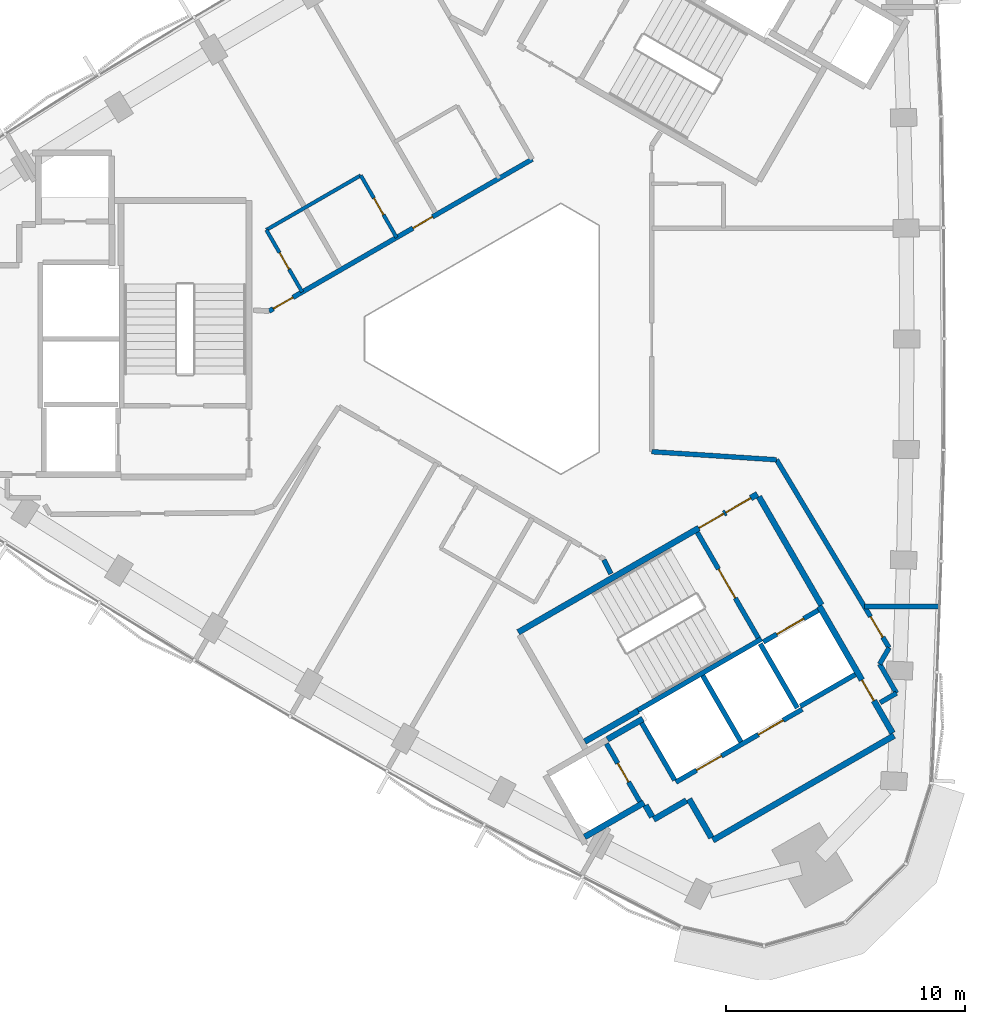
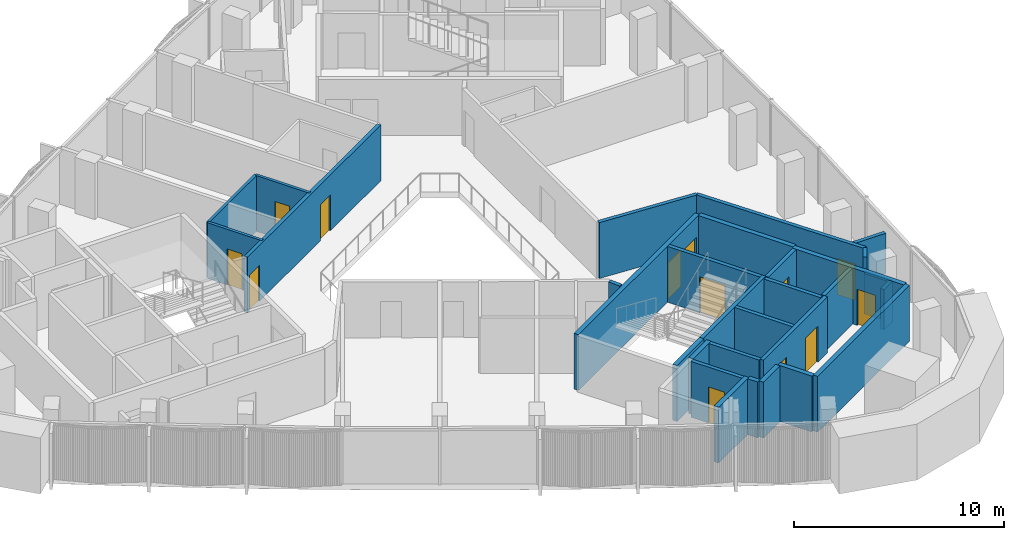
# One storey, part 9 of 14: 30 walls, 13 doors, 13 openings.
"""IFC4 building model written with IfcOpenShell, lengths in metres."""

from ifc_helpers import new_model, si_unit, direction, frame, frame_2d, origin, place, context, subcontext, project, spatial, rectangle, extrude, material, layer, layer_set, type_object, element, fill, save


model = new_model("IFC4")

# Units and contexts
model_context = context("Model", 3, precision=1e-05, world=origin(), true_north=direction((0.0, 1.0)))
body_context = subcontext(model_context, "Body", "Model", "MODEL_VIEW")
ifc_project = project(units=[si_unit("LENGTHUNIT", "METRE"), si_unit("AREAUNIT", "SQUARE_METRE"), si_unit("VOLUMEUNIT", "CUBIC_METRE"), si_unit("PLANEANGLEUNIT", "RADIAN"), si_unit("MASSUNIT", "GRAM", prefix="KILO")], contexts=[model_context])

# Site, building, storey
site_placement = place(None, origin())
site = spatial("IfcSite", under=ifc_project, at=site_placement, CompositionType="ELEMENT")
building_placement = place(site_placement, origin())
building = spatial("IfcBuilding", under=site, at=building_placement, Name="Tamra Quay Hotel Tower", CompositionType="ELEMENT")
storey_placement = place(building_placement, frame((0.0, 0.0, 228.60009765625)))
storey = spatial("IfcBuildingStorey", under=building, at=storey_placement, Name="L57", CompositionType="ELEMENT", Elevation=228.60009765625)

# Wall
ifc_material_1 = material(Name="Concrete M70", Category="concrete")
ifc_layer_1 = layer(ifc_material_1, 0.199951171875)
ifc_layer_set_1 = layer_set([ifc_layer_1], Name="Concrete M70 core wall 200")
wall_type_1 = type_object("IfcWallType", Name="Concrete M70 core wall 200", PredefinedType="SHEAR", material=ifc_layer_set_1)
wall_1_placement = place(storey_placement, frame((5.4189453125, -15.533935546875, 0.0), z_axis=(0.0, 0.0, 1.0), x_axis=(0.866029065029, 0.499993658486, 0.0)))
element("IfcWall", 1, at=wall_1_placement, inside=storey, type_object=wall_type_1, Name="CW2", PredefinedType="SHEAR", context=body_context, shape_type="SweptSolid", body=[
    extrude(rectangle(XDim=5.97412109375, YDim=0.199951171875, at=frame_2d((2.987060546875, 0.0))), origin(), (0.0, 0.0, 1.0), 3.25),
])

# Wall, openings, doors
wall_2_placement = place(storey_placement, frame((7.009765625, -18.54150390625, 0.0), z_axis=(0.0, 0.0, 1.0), x_axis=(0.866030299012, 0.499991521122, 0.0)))
wall_2 = element("IfcWall", 2, at=wall_2_placement, inside=storey, type_object=wall_type_1, Name="CW2", PredefinedType="SHEAR", context=body_context, shape_type="SweptSolid", body=[
    extrude(rectangle(XDim=6.10009765625, YDim=0.199951171875, at=frame_2d((3.050048828125, 0.0))), origin(), (0.0, 0.0, 1.0), 3.25),
])
opening_1_placement = place(wall_2_placement, frame((1.0, 0.0, 0.0)))
opening_1 = element("IfcOpeningElement", 3, at=opening_1_placement, cuts=wall_2, Name="Opening LD", PredefinedType="OPENING", context=body_context, shape_type="SweptSolid", body=[
    extrude(rectangle(XDim=1.199951171875, YDim=2.10009765625, at=frame_2d((0.60009765625, 1.050048828125))), frame((0.0, 0.10986328125, 0.0), z_axis=(0.0, -1.0, 0.0), x_axis=(1.0, 0.0, 0.0)), (0.0, 0.0, 1.0), 0.219970703125),
])
opening_2_placement = place(wall_2_placement, frame((3.982177734375, 0.0, 0.0)))
opening_2 = element("IfcOpeningElement", 4, at=opening_2_placement, cuts=wall_2, Name="Opening LD", PredefinedType="OPENING", context=body_context, shape_type="SweptSolid", body=[
    extrude(rectangle(XDim=1.199951171875, YDim=2.10009765625, at=frame_2d((0.60009765625, 1.050048828125))), frame((0.0, 0.10986328125, 0.0), z_axis=(0.0, -1.0, 0.0), x_axis=(1.0, 0.0, 0.0)), (0.0, 0.0, 1.0), 0.219970703125),
])
ifc_material_2 = material(Name="Landing door LD 1200 double door sliding")
door_type_1 = type_object("IfcDoorType", Name="Landing door LD 1200 double door sliding", OperationType="DOUBLE_DOOR_SLIDING", PredefinedType="DOOR", material=ifc_material_2)
door_1_placement = place(opening_1_placement, origin())
door_1 = element("IfcDoor", 5, at=door_1_placement, inside=storey, type_object=door_type_1, Name="LD", OperationType="DOUBLE_DOOR_SLIDING", OverallHeight=2.10009765625, OverallWidth=1.199951171875, PredefinedType="DOOR", context=body_context, shape_type="SweptSolid", body=[
    extrude(rectangle(XDim=1.199951171875, YDim=2.10009765625, at=frame_2d((0.60009765625, 1.050048828125))), frame((0.0, 0.02490234375, 0.0), z_axis=(0.0, -1.0, 0.0), x_axis=(1.0, 0.0, 0.0)), (0.0, 0.0, 1.0), 0.050048828125),
])
fill(opening_1, door_1)
door_2_placement = place(opening_2_placement, origin())
door_2 = element("IfcDoor", 6, at=door_2_placement, inside=storey, type_object=door_type_1, Name="LD", OperationType="DOUBLE_DOOR_SLIDING", OverallHeight=2.10009765625, OverallWidth=1.199951171875, PredefinedType="DOOR", context=body_context, shape_type="SweptSolid", body=[
    extrude(rectangle(XDim=1.199951171875, YDim=2.10009765625, at=frame_2d((0.60009765625, 1.050048828125))), frame((0.0, 0.02490234375, 0.0), z_axis=(0.0, -1.0, 0.0), x_axis=(1.0, 0.0, 0.0)), (0.0, 0.0, 1.0), 0.050048828125),
])
fill(opening_2, door_2)

# Wall, opening, door
wall_3_placement = place(storey_placement, frame((7.906494140625, -8.094482421875, 0.0), z_axis=(0.0, 0.0, 1.0), x_axis=(0.500027839223, -0.866009330205, 0.0)))
wall_3 = element("IfcWall", 7, at=wall_3_placement, inside=storey, type_object=wall_type_1, Name="CW2", PredefinedType="SHEAR", context=body_context, shape_type="SweptSolid", body=[
    extrude(rectangle(XDim=5.097900390625, YDim=0.199951171875, at=frame_2d((2.548828125, 0.0))), origin(), (0.0, 0.0, 1.0), 3.25),
])
opening_3_placement = place(wall_3_placement, frame((1.77392578125, 0.0, 0.0)))
opening_3 = element("IfcOpeningElement", 8, at=opening_3_placement, cuts=wall_3, Name="Opening FD2", PredefinedType="OPENING", context=body_context, shape_type="SweptSolid", body=[
    extrude(rectangle(XDim=1.39990234375, YDim=2.10009765625, at=frame_2d((0.699951171875, 1.050048828125))), frame((0.0, 0.10986328125, 0.0), z_axis=(0.0, -1.0, 0.0), x_axis=(1.0, 0.0, 0.0)), (0.0, 0.0, 1.0), 0.219970703125),
])
ifc_material_3 = material(Name="Core door FD2 1400x2100 RH")
door_type_2 = type_object("IfcDoorType", Name="Core door FD2 1400x2100 RH", OperationType="NOTDEFINED", PredefinedType="DOOR", material=ifc_material_3)
door_3_placement = place(opening_3_placement, origin())
door_3 = element("IfcDoor", 9, at=door_3_placement, inside=storey, type_object=door_type_2, Name="FD2", OperationType="SINGLE_SWING_RIGHT", OverallHeight=2.10009765625, OverallWidth=1.39990234375, PredefinedType="DOOR", context=body_context, shape_type="SweptSolid", body=[
    extrude(rectangle(XDim=1.39990234375, YDim=2.10009765625, at=frame_2d((0.699951171875, 1.050048828125))), frame((0.0, 0.02490234375, 0.0), z_axis=(0.0, -1.0, 0.0), x_axis=(1.0, 0.0, 0.0)), (0.0, 0.0, 1.0), 0.050048828125),
])
fill(opening_3, door_3)

# Wall
wall_4_placement = place(storey_placement, frame((8.131591796875, -14.084228515625, 0.0), z_axis=(0.0, 0.0, 1.0), x_axis=(0.499997778408, -0.866026686418, 0.0)))
element("IfcWall", 10, at=wall_4_placement, inside=storey, type_object=wall_type_1, Name="CW2", PredefinedType="SHEAR", context=body_context, shape_type="SweptSolid", body=[
    extrude(rectangle(XDim=3.1982421875, YDim=0.199951171875, at=frame_2d((1.59912109375, 0.0))), origin(), (0.0, 0.0, 1.0), 3.25),
])

# Wall, opening, door
wall_5_placement = place(storey_placement, frame((5.50341796875, -19.352294921875, 0.0), z_axis=(0.0, 0.0, 1.0), x_axis=(-0.499986818241, 0.866033014143, 0.0)))
wall_5 = element("IfcWall", 11, at=wall_5_placement, inside=storey, type_object=wall_type_1, Name="CW2", PredefinedType="SHEAR", context=body_context, shape_type="SweptSolid", body=[
    extrude(rectangle(XDim=2.7978515625, YDim=0.199951171875, at=frame_2d((1.39892578125, 0.0))), origin(), (0.0, 0.0, 1.0), 3.25),
])
opening_4_placement = place(wall_5_placement, frame((0.948974609375, 0.0, 0.0)))
opening_4 = element("IfcOpeningElement", 12, at=opening_4_placement, cuts=wall_5, Name="Opening D1", PredefinedType="OPENING", context=body_context, shape_type="SweptSolid", body=[
    extrude(rectangle(XDim=0.89990234375, YDim=2.10009765625, at=frame_2d((0.449951171875, 1.050048828125))), frame((0.0, 0.10986328125, 0.0), z_axis=(0.0, -1.0, 0.0), x_axis=(1.0, 0.0, 0.0)), (0.0, 0.0, 1.0), 0.219970703125),
])
ifc_material_4 = material(Name="Core door D1 900x2100 LH")
door_type_3 = type_object("IfcDoorType", Name="Core door D1 900x2100 LH", OperationType="NOTDEFINED", PredefinedType="DOOR", material=ifc_material_4)
door_4_placement = place(opening_4_placement, origin())
door_4 = element("IfcDoor", 13, at=door_4_placement, inside=storey, type_object=door_type_3, Name="D1", OperationType="SINGLE_SWING_LEFT", OverallHeight=2.10009765625, OverallWidth=0.89990234375, PredefinedType="DOOR", context=body_context, shape_type="SweptSolid", body=[
    extrude(rectangle(XDim=0.89990234375, YDim=2.10009765625, at=frame_2d((0.449951171875, 1.050048828125))), frame((0.0, 0.02490234375, 0.0), z_axis=(0.0, -1.0, 0.0), x_axis=(1.0, 0.0, 0.0)), (0.0, 0.0, 1.0), 0.050048828125),
])
fill(opening_4, door_4)

# Walls
wall_6_placement = place(storey_placement, frame((6.959716796875, -18.455078125, 0.0), z_axis=(0.0, 0.0, 1.0), x_axis=(-0.499926705758, 0.866067716099, 0.0)))
element("IfcWall", 14, at=wall_6_placement, inside=storey, type_object=wall_type_1, Name="CW2", PredefinedType="SHEAR", context=body_context, shape_type="SweptSolid", body=[
    extrude(rectangle(XDim=2.75927734375, YDim=0.199951171875, at=frame_2d((1.379638671875, 0.0))), origin(), (0.0, 0.0, 1.0), 3.25),
])
wall_7_placement = place(storey_placement, frame((12.087646484375, -15.4365234375, 0.0), z_axis=(0.0, 0.0, 1.0), x_axis=(-0.500026960575, 0.86600983753, 0.0)))
element("IfcWall", 15, at=wall_7_placement, inside=storey, type_object=wall_type_1, Name="CW2", PredefinedType="SHEAR", context=body_context, shape_type="SweptSolid", body=[
    extrude(rectangle(XDim=3.099853515625, YDim=0.199951171875, at=frame_2d((1.5498046875, 0.0))), origin(), (0.0, 0.0, 1.0), 3.25),
])

# Wall, opening, door
wall_8_placement = place(storey_placement, frame((10.666015625, -12.677734375, 0.0), z_axis=(0.0, 0.0, 1.0), x_axis=(0.866018407898, 0.500012117035, 0.0)))
wall_8 = element("IfcWall", 16, at=wall_8_placement, inside=storey, type_object=wall_type_1, Name="CW2", PredefinedType="SHEAR", context=body_context, shape_type="SweptSolid", body=[
    extrude(rectangle(XDim=2.65087890625, YDim=0.199951171875, at=frame_2d((1.325439453125, 0.0))), origin(), (0.0, 0.0, 1.0), 3.25),
])
opening_5_placement = place(wall_8_placement, frame((0.65185546875, 0.0, 0.0)))
opening_5 = element("IfcOpeningElement", 17, at=opening_5_placement, cuts=wall_8, Name="Opening LD", PredefinedType="OPENING", context=body_context, shape_type="SweptSolid", body=[
    extrude(rectangle(XDim=1.300048828125, YDim=2.10009765625, at=frame_2d((0.64990234375, 1.050048828125))), frame((0.0, 0.10986328125, 0.0), z_axis=(0.0, -1.0, 0.0), x_axis=(1.0, 0.0, 0.0)), (0.0, 0.0, 1.0), 0.219970703125),
])
ifc_material_5 = material(Name="Landing door LD 1300 sliding to right")
door_type_4 = type_object("IfcDoorType", Name="Landing door LD 1300 sliding to right", OperationType="NOTDEFINED", PredefinedType="DOOR", material=ifc_material_5)
door_5_placement = place(opening_5_placement, origin())
door_5 = element("IfcDoor", 18, at=door_5_placement, inside=storey, type_object=door_type_4, Name="LD", OperationType="SLIDING_TO_RIGHT", OverallHeight=2.10009765625, OverallWidth=1.300048828125, PredefinedType="DOOR", context=body_context, shape_type="SweptSolid", body=[
    extrude(rectangle(XDim=1.300048828125, YDim=2.10009765625, at=frame_2d((0.64990234375, 1.050048828125))), frame((0.0, 0.02490234375, 0.0), z_axis=(0.0, -1.0, 0.0), x_axis=(1.0, 0.0, 0.0)), (0.0, 0.0, 1.0), 0.050048828125),
])
fill(opening_5, door_5)

# Wall
wall_9_placement = place(storey_placement, frame((14.51171875, -14.037109375, 0.0), z_axis=(0.0, 0.0, 1.0), x_axis=(-0.866018407898, -0.500012117035, 0.0)))
element("IfcWall", 19, at=wall_9_placement, inside=storey, type_object=wall_type_1, Name="CW2", PredefinedType="SHEAR", context=body_context, shape_type="SweptSolid", body=[
    extrude(rectangle(XDim=2.65087890625, YDim=0.199951171875, at=frame_2d((1.325439453125, 0.0))), origin(), (0.0, 0.0, 1.0), 3.25),
])

# Wall, openings, doors
ifc_layer_2 = layer(ifc_material_1, 0.25)
ifc_layer_set_2 = layer_set([ifc_layer_2], Name="Concrete M70 core wall 250")
wall_type_2 = type_object("IfcWallType", Name="Concrete M70 core wall 250", PredefinedType="SHEAR", material=ifc_layer_set_2)
wall_10_placement = place(storey_placement, frame((0.417236328125, -12.27294921875, 0.0), z_axis=(0.0, 0.0, 1.0), x_axis=(0.866021906294, 0.500006057782, 0.0)))
wall_10 = element("IfcWall", 20, at=wall_10_placement, inside=storey, type_object=wall_type_2, Name="CW1", PredefinedType="SHEAR", context=body_context, shape_type="SweptSolid", body=[
    extrude(rectangle(XDim=11.550048828125, YDim=0.25, at=frame_2d((5.77490234375, 0.0))), origin(), (0.0, 0.0, 1.0), 3.25),
])
opening_6_placement = place(wall_10_placement, frame((10.024658203125, 0.0, 0.0)))
opening_6 = element("IfcOpeningElement", 21, at=opening_6_placement, cuts=wall_10, Name="Opening FD1", PredefinedType="OPENING", context=body_context, shape_type="SweptSolid", body=[
    extrude(rectangle(XDim=1.199951171875, YDim=2.10009765625, at=frame_2d((0.60009765625, 1.050048828125))), frame((0.0, 0.135009765625, 0.0), z_axis=(0.0, -1.0, 0.0), x_axis=(1.0, 0.0, 0.0)), (0.0, 0.0, 1.0), 0.27001953125),
])
opening_7_placement = place(wall_10_placement, frame((8.724609375, 0.0, 0.0)))
opening_7 = element("IfcOpeningElement", 22, at=opening_7_placement, cuts=wall_10, Name="Opening FD1", PredefinedType="OPENING", context=body_context, shape_type="SweptSolid", body=[
    extrude(rectangle(XDim=1.199951171875, YDim=2.10009765625, at=frame_2d((0.60009765625, 1.050048828125))), frame((0.0, 0.135009765625, 0.0), z_axis=(0.0, -1.0, 0.0), x_axis=(1.0, 0.0, 0.0)), (0.0, 0.0, 1.0), 0.27001953125),
])
ifc_material_6 = material(Name="Core door FD1 1200x2100 LH")
door_type_5 = type_object("IfcDoorType", Name="Core door FD1 1200x2100 LH", OperationType="NOTDEFINED", PredefinedType="DOOR", material=ifc_material_6)
door_6_placement = place(opening_6_placement, origin())
door_6 = element("IfcDoor", 23, at=door_6_placement, inside=storey, type_object=door_type_5, Name="FD1", OperationType="SINGLE_SWING_LEFT", OverallHeight=2.10009765625, OverallWidth=1.199951171875, PredefinedType="DOOR", context=body_context, shape_type="SweptSolid", body=[
    extrude(rectangle(XDim=1.199951171875, YDim=2.10009765625, at=frame_2d((0.60009765625, 1.050048828125))), frame((0.0, 0.02490234375, 0.0), z_axis=(0.0, -1.0, 0.0), x_axis=(1.0, 0.0, 0.0)), (0.0, 0.0, 1.0), 0.050048828125),
])
fill(opening_6, door_6)
ifc_material_7 = material(Name="Core door FD1 1200x2100 RH")
door_type_6 = type_object("IfcDoorType", Name="Core door FD1 1200x2100 RH", OperationType="NOTDEFINED", PredefinedType="DOOR", material=ifc_material_7)
door_7_placement = place(opening_7_placement, origin())
door_7 = element("IfcDoor", 24, at=door_7_placement, inside=storey, type_object=door_type_6, Name="FD1", OperationType="SINGLE_SWING_RIGHT", OverallHeight=2.10009765625, OverallWidth=1.199951171875, PredefinedType="DOOR", context=body_context, shape_type="SweptSolid", body=[
    extrude(rectangle(XDim=1.199951171875, YDim=2.10009765625, at=frame_2d((0.60009765625, 1.050048828125))), frame((0.0, 0.02490234375, 0.0), z_axis=(0.0, -1.0, 0.0), x_axis=(1.0, 0.0, 0.0)), (0.0, 0.0, 1.0), 0.050048828125),
])
fill(opening_7, door_7)

# Wall
wall_11_placement = place(storey_placement, frame((16.13330078125, -16.59375, 0.0), z_axis=(0.0, 0.0, 1.0), x_axis=(-0.866022959057, -0.500004234368, 0.0)))
element("IfcWall", 25, at=wall_11_placement, inside=storey, type_object=wall_type_2, Name="CW1", PredefinedType="SHEAR", context=body_context, shape_type="SweptSolid", body=[
    extrude(rectangle(XDim=8.75, YDim=0.25, at=frame_2d((4.375, 0.0))), origin(), (0.0, 0.0, 1.0), 3.25),
])

# Wall, opening, door
wall_12_placement = place(storey_placement, frame((13.00830078125, -11.18115234375, 0.0), z_axis=(0.0, 0.0, 1.0), x_axis=(0.500001955336, -0.866024274868, 0.0)))
wall_12 = element("IfcWall", 26, at=wall_12_placement, inside=storey, type_object=wall_type_2, Name="CW1", PredefinedType="SHEAR", context=body_context, shape_type="SweptSolid", body=[
    extrude(rectangle(XDim=6.12451171875, YDim=0.25, at=frame_2d((3.062255859375, 0.0))), origin(), (0.0, 0.0, 1.0), 3.25),
])
opening_8_placement = place(wall_12_placement, frame((3.562744140625, 0.0, 0.0)))
opening_8 = element("IfcOpeningElement", 27, at=opening_8_placement, cuts=wall_12, Name="Opening FD3", PredefinedType="OPENING", context=body_context, shape_type="SweptSolid", body=[
    extrude(rectangle(XDim=1.0, YDim=2.10009765625, at=frame_2d((0.5, 1.050048828125))), frame((0.0, 0.135009765625, 0.0), z_axis=(0.0, -1.0, 0.0), x_axis=(1.0, 0.0, 0.0)), (0.0, 0.0, 1.0), 0.27001953125),
])
ifc_material_8 = material(Name="Core door FD3 1000x2100 LH")
door_type_7 = type_object("IfcDoorType", Name="Core door FD3 1000x2100 LH", OperationType="NOTDEFINED", PredefinedType="DOOR", material=ifc_material_8)
door_8_placement = place(opening_8_placement, origin())
door_8 = element("IfcDoor", 28, at=door_8_placement, inside=storey, type_object=door_type_7, Name="FD3", OperationType="SINGLE_SWING_LEFT", OverallHeight=2.10009765625, OverallWidth=1.0, PredefinedType="DOOR", context=body_context, shape_type="SweptSolid", body=[
    extrude(rectangle(XDim=1.0, YDim=2.10009765625, at=frame_2d((0.5, 1.050048828125))), frame((0.0, 0.02490234375, 0.0), z_axis=(0.0, -1.0, 0.0), x_axis=(1.0, 0.0, 0.0)), (0.0, 0.0, 1.0), 0.050048828125),
])
fill(opening_8, door_8)

# Walls
wall_13_placement = place(storey_placement, frame((10.482666015625, -6.6064453125, 0.0), z_axis=(0.0, 0.0, 1.0), x_axis=(0.49999885962, -0.866026062182, 0.0)))
element("IfcWall", 29, at=wall_13_placement, inside=storey, type_object=wall_type_2, Name="CW1", PredefinedType="SHEAR", context=body_context, shape_type="SweptSolid", body=[
    extrude(rectangle(XDim=5.224609375, YDim=0.25, at=frame_2d((2.6123046875, 0.0))), origin(), (0.0, 0.0, 1.0), 3.25),
])
wall_14_placement = place(storey_placement, frame((5.6748046875, -19.39892578125, 0.0), z_axis=(0.0, 0.0, 1.0), x_axis=(-0.866026637627, -0.499997862916, 0.0)))
element("IfcWall", 30, at=wall_14_placement, inside=storey, type_object=wall_type_2, Name="CW1", PredefinedType="SHEAR", context=body_context, shape_type="SweptSolid", body=[
    extrude(rectangle(XDim=2.86474609375, YDim=0.25, at=frame_2d((1.432373046875, 0.0))), origin(), (0.0, 0.0, 1.0), 3.25),
])
wall_15_placement = place(storey_placement, frame((5.4306640625, -15.55615234375, 0.0), z_axis=(0.0, 0.0, 1.0), x_axis=(-0.866022940537, -0.500004266446, 0.0)))
element("IfcWall", 31, at=wall_15_placement, inside=storey, type_object=wall_type_2, Name="CW1", PredefinedType="SHEAR", context=body_context, shape_type="SweptSolid", body=[
    extrude(rectangle(XDim=2.57470703125, YDim=0.25, at=frame_2d((1.287353515625, 0.0))), origin(), (0.0, 0.0, 1.0), 3.25),
])
wall_16_placement = place(storey_placement, frame((8.492919921875, -20.860107421875, 0.0), z_axis=(0.0, 0.0, 1.0), x_axis=(-0.500039802285, 0.866002422705, 0.0)))
element("IfcWall", 32, at=wall_16_placement, inside=storey, type_object=wall_type_2, Name="CW1", PredefinedType="SHEAR", context=body_context, shape_type="SweptSolid", body=[
    extrude(rectangle(XDim=1.864501953125, YDim=0.25, at=frame_2d((0.93212890625, 0.0))), origin(), (0.0, 0.0, 1.0), 3.25),
])
wall_17_placement = place(storey_placement, frame((4.144775390625, -16.748779296875, 0.0), z_axis=(0.0, 0.0, 1.0), x_axis=(0.866038183914, 0.499977863513, 0.0)))
element("IfcWall", 33, at=wall_17_placement, inside=storey, type_object=wall_type_2, Name="CW1", PredefinedType="SHEAR", context=body_context, shape_type="SweptSolid", body=[
    extrude(rectangle(XDim=1.7099609375, YDim=0.25, at=frame_2d((0.85498046875, 0.0))), origin(), (0.0, 0.0, 1.0), 3.25),
])
wall_18_placement = place(storey_placement, frame((7.451904296875, -19.30810546875, 0.0), z_axis=(0.0, 0.0, 1.0), x_axis=(-0.866044474677, -0.49996696679, 0.0)))
element("IfcWall", 34, at=wall_18_placement, inside=storey, type_object=wall_type_2, Name="CW1", PredefinedType="SHEAR", context=body_context, shape_type="SweptSolid", body=[
    extrude(rectangle(XDim=1.58447265625, YDim=0.25, at=frame_2d((0.792236328125, 0.0))), origin(), (0.0, 0.0, 1.0), 3.25),
])
wall_19_placement = place(storey_placement, frame((6.01708984375, -19.99169921875, 0.0), z_axis=(0.0, 0.0, 1.0), x_axis=(-0.500364886717, 0.865814633822, 0.0)))
element("IfcWall", 35, at=wall_19_placement, inside=storey, type_object=wall_type_2, Name="CW1", PredefinedType="SHEAR", context=body_context, shape_type="SweptSolid", body=[
    extrude(rectangle(XDim=0.55908203125, YDim=0.25, at=frame_2d((0.279541015625, 0.0))), origin(), (0.0, 0.0, 1.0), 3.25),
])

# Wall, openings, doors
ifc_material_9 = material(Name="Partition corridor wall")
ifc_layer_3 = layer(ifc_material_9, 0.199951171875)
ifc_layer_set_3 = layer_set([ifc_layer_3], Name="Partition corridor wall")
wall_type_3 = type_object("IfcWallType", Name="Partition corridor wall", PredefinedType="PARTITIONING", material=ifc_layer_set_3)
wall_20_placement = place(storey_placement, frame((-10.0, 1.155029296875, 0.0), z_axis=(0.0, 0.0, 1.0), x_axis=(0.866014095592, 0.500019585852, 0.0)))
wall_20 = element("IfcWall", 36, at=wall_20_placement, inside=storey, type_object=wall_type_3, Name="W-C", PredefinedType="PARTITIONING", context=body_context, shape_type="SweptSolid", body=[
    extrude(rectangle(XDim=12.70751953125, YDim=0.199951171875, at=frame_2d((6.353759765625, 0.0))), origin(), (0.0, 0.0, 1.0), 3.25),
])
opening_9_placement = place(wall_20_placement, frame((6.9443359375, 0.0, 0.0)))
opening_9 = element("IfcOpeningElement", 37, at=opening_9_placement, cuts=wall_20, Name="Opening L57-D005", PredefinedType="OPENING", context=body_context, shape_type="SweptSolid", body=[
    extrude(rectangle(XDim=0.949951171875, YDim=2.10009765625, at=frame_2d((0.47509765625, 1.050048828125))), frame((0.0, 0.10986328125, 0.0), z_axis=(0.0, -1.0, 0.0), x_axis=(1.0, 0.0, 0.0)), (0.0, 0.0, 1.0), 0.219970703125),
])
opening_10_placement = place(wall_20_placement, frame((0.199951171875, 0.0, 0.0)))
opening_10 = element("IfcOpeningElement", 38, at=opening_10_placement, cuts=wall_20, Name="Opening L57-D007", PredefinedType="OPENING", context=body_context, shape_type="SweptSolid", body=[
    extrude(rectangle(XDim=0.949951171875, YDim=2.10009765625, at=frame_2d((0.47509765625, 1.050048828125))), frame((0.0, 0.10986328125, 0.0), z_axis=(0.0, -1.0, 0.0), x_axis=(1.0, 0.0, 0.0)), (0.0, 0.0, 1.0), 0.219970703125),
])
ifc_material_10 = material(Name="Door guest room 950x2100")
door_type_8 = type_object("IfcDoorType", Name="Door guest room 950x2100", OperationType="NOTDEFINED", PredefinedType="DOOR", material=ifc_material_10)
door_9_placement = place(opening_9_placement, origin())
door_9 = element("IfcDoor", 39, at=door_9_placement, inside=storey, type_object=door_type_8, Name="L57-D005", OperationType="SINGLE_SWING_LEFT", OverallHeight=2.10009765625, OverallWidth=0.949951171875, PredefinedType="DOOR", context=body_context, shape_type="SweptSolid", body=[
    extrude(rectangle(XDim=0.949951171875, YDim=2.10009765625, at=frame_2d((0.47509765625, 1.050048828125))), frame((0.0, 0.02490234375, 0.0), z_axis=(0.0, -1.0, 0.0), x_axis=(1.0, 0.0, 0.0)), (0.0, 0.0, 1.0), 0.050048828125),
])
fill(opening_9, door_9)
door_10_placement = place(opening_10_placement, origin())
door_10 = element("IfcDoor", 40, at=door_10_placement, inside=storey, type_object=door_type_8, Name="L57-D007", OperationType="SINGLE_SWING_LEFT", OverallHeight=2.10009765625, OverallWidth=0.949951171875, PredefinedType="DOOR", context=body_context, shape_type="SweptSolid", body=[
    extrude(rectangle(XDim=0.949951171875, YDim=2.10009765625, at=frame_2d((0.47509765625, 1.050048828125))), frame((0.0, 0.02490234375, 0.0), z_axis=(0.0, -1.0, 0.0), x_axis=(1.0, 0.0, 0.0)), (0.0, 0.0, 1.0), 0.050048828125),
])
fill(opening_10, door_10)

# Walls
wall_21_placement = place(storey_placement, frame((4.0, -9.238037109375, 0.0), z_axis=(0.0, 0.0, 1.0), x_axis=(0.444370954227, -0.89584287408, 0.0)))
element("IfcWall", 41, at=wall_21_placement, inside=storey, type_object=wall_type_3, Name="W-C", PredefinedType="PARTITIONING", context=body_context, shape_type="SweptSolid", body=[
    extrude(rectangle(XDim=0.6533203125, YDim=0.199951171875, at=frame_2d((0.32666015625, 0.0))), origin(), (0.0, 0.0, 1.0), 3.25),
])
wall_22_placement = place(storey_placement, frame((6.0, -4.720947265625, 0.0), z_axis=(0.0, 0.0, 1.0), x_axis=(0.997917460423, -0.064503815251, 0.0)))
element("IfcWall", 42, at=wall_22_placement, inside=storey, type_object=wall_type_3, Name="W-C", PredefinedType="PARTITIONING", context=body_context, shape_type="SweptSolid", body=[
    extrude(rectangle(XDim=5.22705078125, YDim=0.199951171875, at=frame_2d((2.613525390625, 0.0))), origin(), (0.0, 0.0, 1.0), 3.25),
])

# Wall, opening, door
wall_23_placement = place(storey_placement, frame((11.216796875, -5.0576171875, 0.0), z_axis=(0.0, 0.0, 1.0), x_axis=(0.513856906336, -0.857875911662, 0.0)))
wall_23 = element("IfcWall", 43, at=wall_23_placement, inside=storey, type_object=wall_type_3, Name="W-C", PredefinedType="PARTITIONING", context=body_context, shape_type="SweptSolid", body=[
    extrude(rectangle(XDim=9.16259765625, YDim=0.199951171875, at=frame_2d((4.581298828125, 0.0))), origin(), (0.0, 0.0, 1.0), 3.25),
])
opening_11_placement = place(wall_23_placement, frame((7.649658203125, 0.0, 0.0)))
opening_11 = element("IfcOpeningElement", 44, at=opening_11_placement, cuts=wall_23, Name="Opening L57-D015", PredefinedType="OPENING", context=body_context, shape_type="SweptSolid", body=[
    extrude(rectangle(XDim=1.0, YDim=2.10009765625, at=frame_2d((0.5, 1.050048828125))), frame((0.0, 0.10986328125, 0.0), z_axis=(0.0, -1.0, 0.0), x_axis=(1.0, 0.0, 0.0)), (0.0, 0.0, 1.0), 0.219970703125),
])
ifc_material_11 = material(Name="Door guest room 1000x2100")
door_type_9 = type_object("IfcDoorType", Name="Door guest room 1000x2100", OperationType="NOTDEFINED", PredefinedType="DOOR", material=ifc_material_11)
door_11_placement = place(opening_11_placement, frame((1.0, 0.0, 0.0), z_axis=(0.0, 0.0, 1.0), x_axis=(-1.0, 0.0, 0.0)))
door_11 = element("IfcDoor", 45, at=door_11_placement, inside=storey, type_object=door_type_9, Name="L57-D015", OperationType="SINGLE_SWING_LEFT", OverallHeight=2.10009765625, OverallWidth=1.0, PredefinedType="DOOR", context=body_context, shape_type="SweptSolid", body=[
    extrude(rectangle(XDim=1.0, YDim=2.10009765625, at=frame_2d((0.5, 1.050048828125))), frame((0.0, 0.02490234375, 0.0), z_axis=(0.0, -1.0, 0.0), x_axis=(1.0, 0.0, 0.0)), (0.0, 0.0, 1.0), 0.050048828125),
])
fill(opening_11, door_11)

# Walls
wall_24_placement = place(storey_placement, frame((15.5498046875, -15.213134765625, 0.0), z_axis=(0.0, 0.0, 1.0), x_axis=(0.865989998118, 0.500061319399, 0.0)))
element("IfcWall", 46, at=wall_24_placement, inside=storey, type_object=wall_type_3, Name="W-C", PredefinedType="PARTITIONING", context=body_context, shape_type="SweptSolid", body=[
    extrude(rectangle(XDim=0.7900390625, YDim=0.199951171875, at=frame_2d((0.39501953125, 0.0))), origin(), (0.0, 0.0, 1.0), 2.349853515625),
])
wall_25_placement = place(storey_placement, frame((15.531982421875, -13.60302734375, 0.0), z_axis=(0.0, 0.0, 1.0), x_axis=(0.498203662485, 0.867060038686, 0.0)))
element("IfcWall", 47, at=wall_25_placement, inside=storey, type_object=wall_type_3, Name="W-C", PredefinedType="PARTITIONING", context=body_context, shape_type="SweptSolid", body=[
    extrude(rectangle(XDim=0.7890625, YDim=0.199951171875, at=frame_2d((0.39453125, 0.0))), origin(), (0.0, 0.0, 1.0), 3.25),
])
wall_26_placement = place(storey_placement, frame((15.531982421875, -13.60302734375, 0.0), z_axis=(0.0, 0.0, 1.0), x_axis=(0.500199332748, -0.865910288378, 0.0)))
element("IfcWall", 48, at=wall_26_placement, inside=storey, type_object=wall_type_3, Name="W-C", PredefinedType="PARTITIONING", context=body_context, shape_type="SweptSolid", body=[
    extrude(rectangle(XDim=1.4033203125, YDim=0.199951171875, at=frame_2d((0.70166015625, 0.0))), origin(), (0.0, 0.0, 1.0), 2.349853515625),
])

# Wall, opening, door
ifc_material_12 = material(Name="Partition en-suite wall")
ifc_layer_4 = layer(ifc_material_12, 0.14990234375)
ifc_layer_set_4 = layer_set([ifc_layer_4], Name="Partition en-suite wall")
wall_type_4 = type_object("IfcWallType", Name="Partition en-suite wall", PredefinedType="PARTITIONING", material=ifc_layer_set_4)
wall_27_placement = place(storey_placement, frame((-10.114013671875, 4.552978515625, 0.0), z_axis=(0.0, 0.0, 1.0), x_axis=(0.50002537861, -0.866010750942, 0.0)))
wall_27 = element("IfcWall", 49, at=wall_27_placement, inside=storey, type_object=wall_type_4, Name="W-E", PredefinedType="PARTITIONING", context=body_context, shape_type="SweptSolid", body=[
    extrude(rectangle(XDim=2.999755859375, YDim=0.14990234375, at=frame_2d((1.5, 0.0))), origin(), (0.0, 0.0, 1.0), 3.25),
])
opening_12_placement = place(wall_27_placement, frame((1.099853515625, 0.0, 0.0)))
opening_12 = element("IfcOpeningElement", 50, at=opening_12_placement, cuts=wall_27, Name="Opening L57-D008", PredefinedType="OPENING", context=body_context, shape_type="SweptSolid", body=[
    extrude(rectangle(XDim=0.800048828125, YDim=2.10009765625, at=frame_2d((0.39990234375, 1.050048828125))), frame((0.0, 0.0849609375, 0.0), z_axis=(0.0, -1.0, 0.0), x_axis=(1.0, 0.0, 0.0)), (0.0, 0.0, 1.0), 0.169921875),
])
ifc_material_13 = material(Name="Door en-suite 800x2100")
door_type_10 = type_object("IfcDoorType", Name="Door en-suite 800x2100", OperationType="NOTDEFINED", PredefinedType="DOOR", material=ifc_material_13)
door_12_placement = place(opening_12_placement, frame((0.800048828125, 0.0, 0.0), z_axis=(0.0, 0.0, 1.0), x_axis=(-1.0, 0.0, 0.0)))
door_12 = element("IfcDoor", 51, at=door_12_placement, inside=storey, type_object=door_type_10, Name="L57-D008", OperationType="SINGLE_SWING_LEFT", OverallHeight=2.10009765625, OverallWidth=0.800048828125, PredefinedType="DOOR", context=body_context, shape_type="SweptSolid", body=[
    extrude(rectangle(XDim=0.800048828125, YDim=2.10009765625, at=frame_2d((0.39990234375, 1.050048828125))), frame((0.0, 0.02490234375, 0.0), z_axis=(0.0, -1.0, 0.0), x_axis=(1.0, 0.0, 0.0)), (0.0, 0.0, 1.0), 0.050048828125),
])
fill(opening_12, door_12)

# Wall
wall_28_placement = place(storey_placement, frame((-10.114013671875, 4.552978515625, 0.0), z_axis=(0.0, 0.0, 1.0), x_axis=(0.866002713795, 0.500039298155, 0.0)))
element("IfcWall", 52, at=wall_28_placement, inside=storey, type_object=wall_type_4, Name="W-E", PredefinedType="PARTITIONING", context=body_context, shape_type="SweptSolid", body=[
    extrude(rectangle(XDim=4.557861328125, YDim=0.14990234375, at=frame_2d((2.27880859375, 0.0))), origin(), (0.0, 0.0, 1.0), 3.25),
])

# Wall, opening, door
wall_29_placement = place(storey_placement, frame((-6.1669921875, 6.83203125, 0.0), z_axis=(0.0, 0.0, 1.0), x_axis=(0.499990139034, -0.866031096941, 0.0)))
wall_29 = element("IfcWall", 53, at=wall_29_placement, inside=storey, type_object=wall_type_4, Name="W-E", PredefinedType="PARTITIONING", context=body_context, shape_type="SweptSolid", body=[
    extrude(rectangle(XDim=3.0, YDim=0.14990234375, at=frame_2d((1.5, 0.0))), origin(), (0.0, 0.0, 1.0), 3.25),
])
opening_13_placement = place(wall_29_placement, frame((1.10009765625, 0.0, 0.0)))
opening_13 = element("IfcOpeningElement", 54, at=opening_13_placement, cuts=wall_29, Name="Opening L57-D006", PredefinedType="OPENING", context=body_context, shape_type="SweptSolid", body=[
    extrude(rectangle(XDim=0.800048828125, YDim=2.10009765625, at=frame_2d((0.39990234375, 1.050048828125))), frame((0.0, 0.0849609375, 0.0), z_axis=(0.0, -1.0, 0.0), x_axis=(1.0, 0.0, 0.0)), (0.0, 0.0, 1.0), 0.169921875),
])
door_13_placement = place(opening_13_placement, frame((0.800048828125, 0.0, 0.0), z_axis=(0.0, 0.0, 1.0), x_axis=(-1.0, 0.0, 0.0)))
door_13 = element("IfcDoor", 55, at=door_13_placement, inside=storey, type_object=door_type_10, Name="L57-D006", OperationType="SINGLE_SWING_LEFT", OverallHeight=2.10009765625, OverallWidth=0.800048828125, PredefinedType="DOOR", context=body_context, shape_type="SweptSolid", body=[
    extrude(rectangle(XDim=0.800048828125, YDim=2.10009765625, at=frame_2d((0.39990234375, 1.050048828125))), frame((0.0, 0.02490234375, 0.0), z_axis=(0.0, -1.0, 0.0), x_axis=(1.0, 0.0, 0.0)), (0.0, 0.0, 1.0), 0.050048828125),
])
fill(opening_13, door_13)

# Wall
ifc_material_14 = material(Name="Partition party wall")
ifc_layer_5 = layer(ifc_material_14, 0.199951171875)
ifc_layer_set_5 = layer_set([ifc_layer_5], Name="Partition party wall")
wall_type_5 = type_object("IfcWallType", Name="Partition party wall", PredefinedType="PARTITIONING", material=ifc_layer_set_5)
wall_30_placement = place(storey_placement, frame((14.889892578125, -11.19091796875, 0.0), z_axis=(0.0, 0.0, 1.0), x_axis=(1.0, 0.0, 0.0)))
element("IfcWall", 56, at=wall_30_placement, inside=storey, type_object=wall_type_5, Name="W-P", PredefinedType="PARTITIONING", context=body_context, shape_type="SweptSolid", body=[
    extrude(rectangle(XDim=3.14208984375, YDim=0.199951171875, at=frame_2d((1.571044921875, 0.0))), origin(), (0.0, 0.0, 1.0), 2.349853515625),
])

save(model, "model.ifc")
